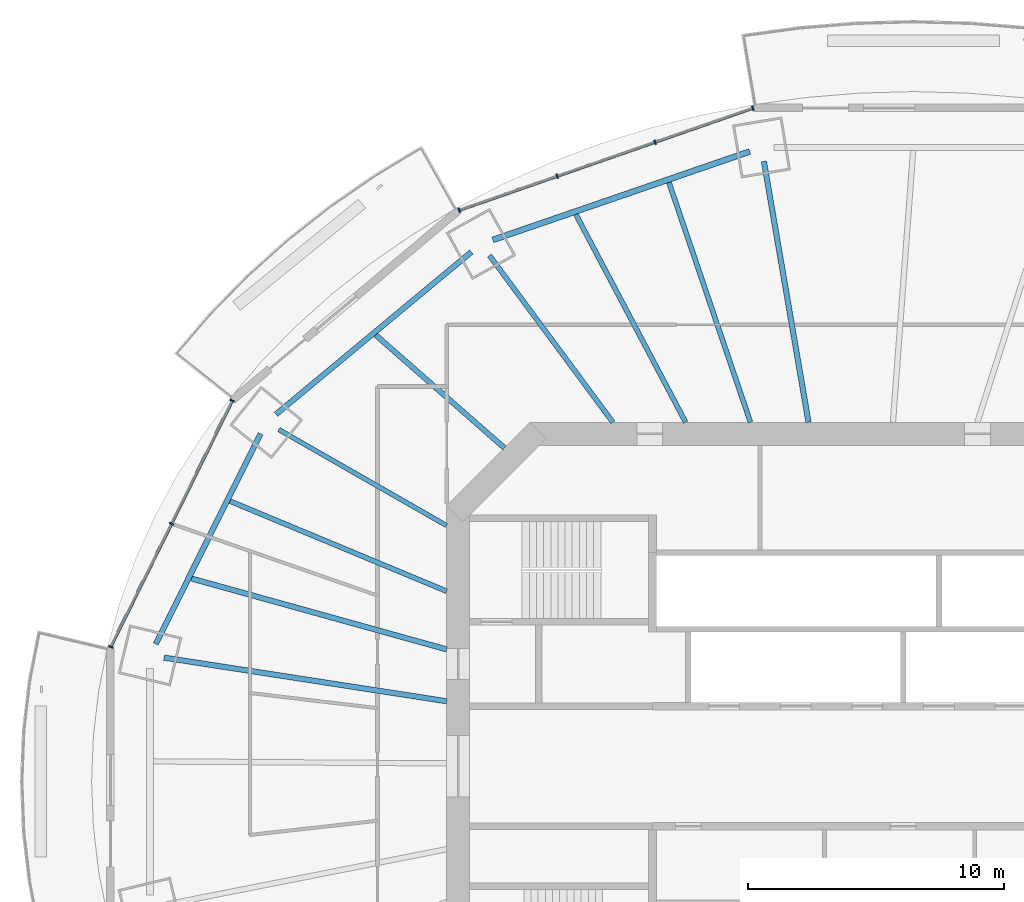
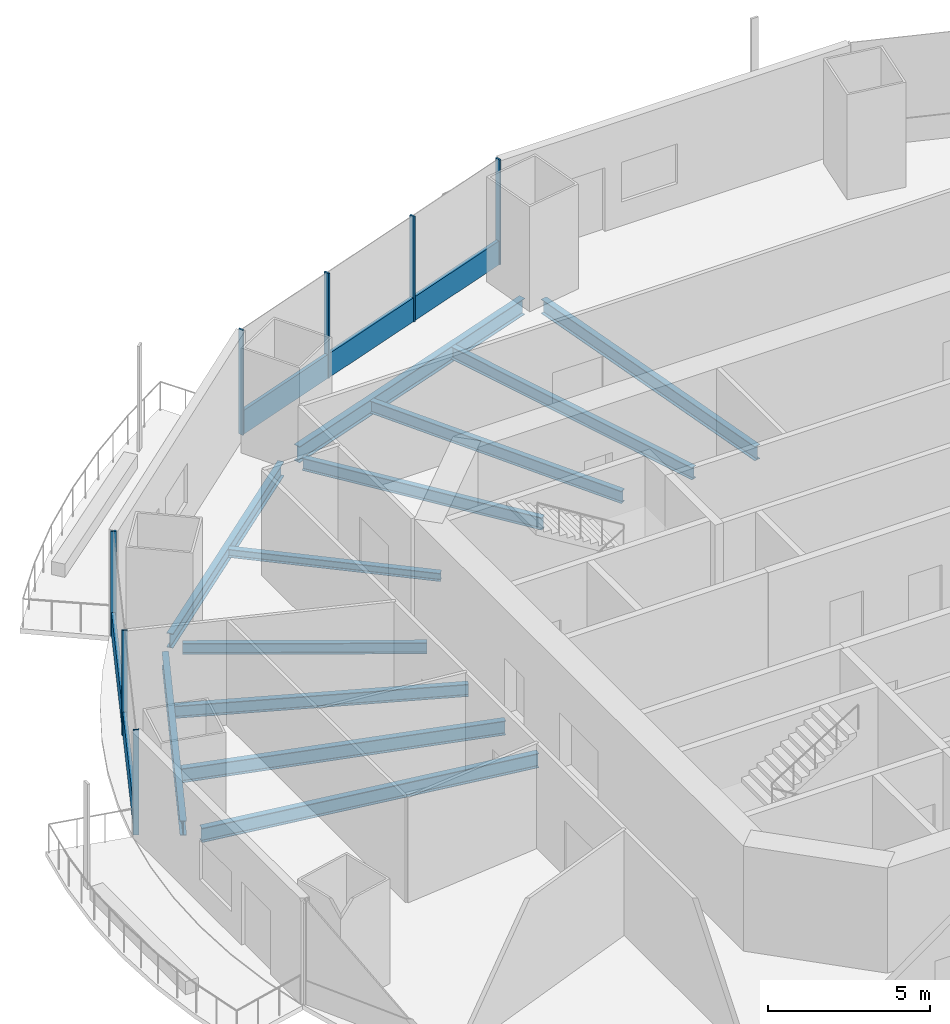
# One storey, part 6 of 20: 12 beams, 9 members, 2 elements without a shape of their own.
"""IFC4 building model written with IfcOpenShell, lengths in metres."""

import ifcopenshell
import ifcopenshell.guid

model = None  # the IFC model being written
_history = None  # IfcOwnerHistory: only IFC2X3 demands one
_inside = {}  # id of a spatial element -> (the spatial element, [elements in it])
_under = {}  # id of a project, library or spatial element -> (it, [spatial elements below it])
_declared = {}  # id of a project -> (the project, [libraries it declares])
_typed = {}  # id of a type object -> (the type object, [elements of that type])
_made_of = {}  # id of a material, layer set ... -> (it, [elements and type objects made of it])


def new_model(schema):
    """Start an empty IFC model of exactly this schema.

    Asked for "IFC4X3", IfcOpenShell would pick the latest addendum, in which some entities
    have other attributes; the version numbers below select the first issue.
    IFC2X3 requires an IfcOwnerHistory on every rooted entity: one is made here for all.
    """
    global model, _history
    if schema == "IFC4X3":
        model = ifcopenshell.file(schema_version=(4, 3, 0, 0))
    else:
        model = ifcopenshell.file(schema=schema)
    _inside.clear()
    _under.clear()
    _declared.clear()
    _typed.clear()
    _made_of.clear()
    _history = None
    if model.schema == "IFC2X3":
        org = make("IfcOrganization", Name="unknown")
        user = make(
            "IfcPersonAndOrganization",
            ThePerson=make("IfcPerson", FamilyName="unknown"),
            TheOrganization=org,
        )
        app = make(
            "IfcApplication",
            ApplicationDeveloper=org,
            Version="unknown",
            ApplicationFullName="unknown",
            ApplicationIdentifier="unknown",
        )
        _history = make(
            "IfcOwnerHistory",
            OwningUser=user,
            OwningApplication=app,
            ChangeAction="ADDED",
            CreationDate=0,
        )
    return model


def make(cls, **values):
    """One entity of the class cls with the attributes given. An attribute that is None is left unset."""
    return model.create_entity(
        cls, **{name: value for name, value in values.items() if value is not None}
    )


def rooted(cls, **values):
    """An entity with a GlobalId (a new one), such as an element, a storey or a relation."""
    return make(cls, GlobalId=ifcopenshell.guid.new(), OwnerHistory=_history, **values)


def si_unit(unit_type, name, prefix=None):
    """IfcSIUnit, for example si_unit("LENGTHUNIT", "METRE", prefix="MILLI")."""
    return make("IfcSIUnit", UnitType=unit_type, Prefix=prefix, Name=name)


def assignment(units):
    """IfcUnitAssignment: the units of a project."""
    return None if units is None else make("IfcUnitAssignment", Units=units)


def point(xyz):
    """IfcCartesianPoint."""
    return None if xyz is None else make("IfcCartesianPoint", Coordinates=xyz)


def direction(xyz):
    """IfcDirection."""
    return None if xyz is None else make("IfcDirection", DirectionRatios=xyz)


def frame(location, z_axis=None, x_axis=None):
    """IfcAxis2Placement3D, a coordinate frame: its origin and axes. An axis left out is left unset."""
    return make(
        "IfcAxis2Placement3D",
        Location=point(location),
        Axis=direction(z_axis),
        RefDirection=direction(x_axis),
    )


def frame_2d(location, x_axis=None):
    """IfcAxis2Placement2D, a coordinate frame in the plane: its origin and x axis."""
    return make(
        "IfcAxis2Placement2D", Location=point(location), RefDirection=direction(x_axis)
    )


def origin():
    """The frame at (0, 0, 0) with its axes left unset."""
    return frame((0.0, 0.0, 0.0))


def origin_2d():
    """The frame at (0, 0) in the plane with its x axis left unset."""
    return frame_2d((0.0, 0.0))


def place(relative_to, where):
    """IfcLocalPlacement: puts the frame where relative to a parent placement (None: the world)."""
    return make(
        "IfcLocalPlacement", PlacementRelTo=relative_to, RelativePlacement=where
    )


def context(
    kind, dimensions, precision=None, world=None, true_north=None, identifier=None
):
    """IfcGeometricRepresentationContext, for example the 3D "Model" context."""
    return make(
        "IfcGeometricRepresentationContext",
        ContextIdentifier=identifier,
        ContextType=kind,
        CoordinateSpaceDimension=dimensions,
        Precision=precision,
        WorldCoordinateSystem=world,
        TrueNorth=true_north,
    )


def subcontext(parent, identifier, kind, view, scale=None):
    """IfcGeometricRepresentationSubContext, for example "Body" below "Model"."""
    return make(
        "IfcGeometricRepresentationSubContext",
        ContextIdentifier=identifier,
        ContextType=kind,
        ParentContext=parent,
        TargetScale=scale,
        TargetView=view,
    )


def project(units=None, contexts=None):
    """IfcProject with its units and contexts."""
    return rooted(
        "IfcProject",
        Name="project",
        RepresentationContexts=contexts,
        UnitsInContext=assignment(units),
    )


def spatial(cls, under=None, at=None, **own):
    """A site, building, storey or space (cls), placed at a placement, below another one or the project."""
    s = rooted(cls, ObjectPlacement=at, **own)
    if under is not None:
        _under.setdefault(under.id(), (under, []))[1].append(s)
    return s


def profile(cls, at=None, kind="AREA", **sizes):
    """A parametric profile (cls). Its sizes go by their IFC names, for example OverallWidth=200.0."""
    return make(cls, ProfileType=kind, Position=at, **sizes)


def rectangle(**sizes):
    """IfcRectangleProfileDef."""
    return profile("IfcRectangleProfileDef", **sizes)


def i_section(**sizes):
    """IfcIShapeProfileDef."""
    return profile("IfcIShapeProfileDef", **sizes)


def extrude(swept, where, along, depth):
    """IfcExtrudedAreaSolid: the profile swept, set in the frame where, extruded along a direction by depth."""
    return make(
        "IfcExtrudedAreaSolid",
        SweptArea=swept,
        Position=where,
        ExtrudedDirection=direction(along),
        Depth=depth,
    )


def shape(context_of_items, identifier, shape_type, items):
    """IfcShapeRepresentation: the items that make up one representation, for example the "Body"."""
    return make(
        "IfcShapeRepresentation",
        ContextOfItems=context_of_items,
        RepresentationIdentifier=identifier,
        RepresentationType=shape_type,
        Items=items,
    )


def material(Name=None, Category=None):
    """IfcMaterial."""
    return make("IfcMaterial", Name=Name, Category=Category)


def material_profile(
    of_material, cross_section, Name=None, Category=None, Priority=None
):
    """IfcMaterialProfile: a cross section and its material."""
    return make(
        "IfcMaterialProfile",
        Name=Name,
        Material=of_material,
        Profile=cross_section,
        Priority=Priority,
        Category=Category,
    )


def profile_set(profiles, Name=None, composite=None):
    """IfcMaterialProfileSet."""
    return make(
        "IfcMaterialProfileSet",
        Name=Name,
        MaterialProfiles=profiles,
        CompositeProfile=composite,
    )


def made_of(thing, what):
    """Note that an element or type object is made of a material, layer set ...; save() writes the relation."""
    if what is not None:
        _made_of.setdefault(what.id(), (what, []))[1].append(thing)
    return thing


def type_object(cls, material=None, **own):
    """A type object (cls), such as IfcWallType, which elements share."""
    return made_of(rooted(cls, **own), material)


def element(
    cls,
    number,
    at=None,
    inside=None,
    cuts=None,
    type_object=None,
    material=None,
    context=None,
    identifier="Body",
    shape_type=None,
    held_by="IfcProductDefinitionShape",
    body=None,
    shapes=None,
    **own,
):
    """One element of the class cls, such as IfcWall. Its Tag is "e" and its number.

    at: its placement. inside: the storey or other place that contains it. cuts: it is an
    opening in that element (IfcRelVoidsElement). A single representation is given by context,
    identifier, shape_type and body (its items); several are given by shapes. held_by: the class
    of the entity that holds the representations. save() writes the other relations.
    """
    e = rooted(cls, Tag="e%d" % number, ObjectPlacement=at, **own)
    if body is not None:
        shapes = [shape(context, identifier, shape_type, body)]
    if shapes is not None:
        e.Representation = make(held_by, Representations=shapes)
    if inside is not None:
        _inside.setdefault(inside.id(), (inside, []))[1].append(e)
    if cuts is not None:
        rooted(
            "IfcRelVoidsElement", RelatingBuildingElement=cuts, RelatedOpeningElement=e
        )
    if type_object is not None:
        _typed.setdefault(type_object.id(), (type_object, []))[1].append(e)
    return made_of(e, material)


def aggregate(whole, parts):
    """IfcRelAggregates: a whole, such as a stair, and the parts it consists of."""
    return rooted("IfcRelAggregates", RelatingObject=whole, RelatedObjects=parts)


def save(model, path):
    """Write the relations noted so far, then the file.

    IfcRelAggregates (storeys below a building ...), IfcRelContainedInSpatialStructure (elements
    in a storey), IfcRelDefinesByType, IfcRelAssociatesMaterial and IfcRelDeclares: one each for
    every whole, place, type object, material and project.
    """
    for whole, parts in _under.values():
        aggregate(whole, parts)
    for where, things in _inside.values():
        rooted(
            "IfcRelContainedInSpatialStructure",
            RelatedElements=things,
            RelatingStructure=where,
        )
    for kind, things in _typed.values():
        rooted("IfcRelDefinesByType", RelatedObjects=things, RelatingType=kind)
    for what, things in _made_of.values():
        rooted("IfcRelAssociatesMaterial", RelatedObjects=things, RelatingMaterial=what)
    for by, libraries in _declared.values():
        rooted("IfcRelDeclares", RelatingContext=by, RelatedDefinitions=libraries)
    model.write(path)


model = new_model("IFC4")

# Units and contexts
model_context = context("Model", 3, precision=1e-05, world=origin(), true_north=direction((0.0, 1.0)))
body_context = subcontext(model_context, "Body", "Model", "MODEL_VIEW")
ifc_project = project(units=[si_unit("LENGTHUNIT", "METRE"), si_unit("AREAUNIT", "SQUARE_METRE"), si_unit("VOLUMEUNIT", "CUBIC_METRE"), si_unit("PLANEANGLEUNIT", "RADIAN"), si_unit("MASSUNIT", "GRAM", prefix="KILO")], contexts=[model_context])

# Site, building, storey
site_placement = place(None, origin())
site = spatial("IfcSite", under=ifc_project, at=site_placement, CompositionType="ELEMENT")
building_placement = place(site_placement, origin())
building = spatial("IfcBuilding", under=site, at=building_placement, Name="Marenthal Gate Tower", CompositionType="ELEMENT")
storey_placement = place(building_placement, frame((0.0, 0.0, 194.25)))
storey = spatial("IfcBuildingStorey", under=building, at=storey_placement, Name="L42", CompositionType="ELEMENT", Elevation=194.25)

# Curtain wall, members
ifc_material_1 = material(Name="Aluminium and glass", Category="aluminium")
curtain_wall_type = type_object("IfcCurtainWallType", Name="Curtain wall typical mid", PredefinedType="NOTDEFINED", material=ifc_material_1)
curtain_wall_1_placement = place(storey_placement, origin())
curtain_wall_1 = element("IfcCurtainWall", 1, at=curtain_wall_1_placement, inside=storey, type_object=curtain_wall_type, Name="Curtain wall L42 bay 5", PredefinedType="NOTDEFINED")
ifc_material_2 = material(Name="Aluminium", Category="aluminium")
ifc_material_profile_1 = material_profile(ifc_material_2, rectangle(XDim=0.179931640625, YDim=0.06005859375, at=origin_2d()), Name="60x180 aluminium mullion")
ifc_profile_set_1 = profile_set([ifc_material_profile_1], Name="Aluminium")
member_type_1 = type_object("IfcMemberType", Name="Mullion 60x180 typical mid", PredefinedType="MULLION", material=ifc_profile_set_1)
member_1_placement = place(storey_placement, frame((-4.47412109375, 25.735107421875, 0.0), z_axis=(0.0, 0.0, 1.0), x_axis=(0.328273001535, -0.944582890203, 0.0)))
member_1 = element("IfcMember", 2, at=member_1_placement, type_object=member_type_1, Name="Mullion L42 bay 5.1", PredefinedType="MULLION", context=body_context, shape_type="SweptSolid", body=[
    extrude(rectangle(XDim=0.179931640625, YDim=0.06005859375, at=origin_2d()), origin(), (0.0, 0.0, 1.0), 3.969970703125),
])
member_2_placement = place(storey_placement, frame((-8.30224609375, 24.40478515625, 0.0), z_axis=(0.0, 0.0, 1.0), x_axis=(0.328273001535, -0.944582890203, 0.0)))
member_2 = element("IfcMember", 3, at=member_2_placement, type_object=member_type_1, Name="Mullion L42 bay 5.2", PredefinedType="MULLION", context=body_context, shape_type="SweptSolid", body=[
    extrude(rectangle(XDim=0.179931640625, YDim=0.06005859375, at=origin_2d()), origin(), (0.0, 0.0, 1.0), 3.969970703125),
])
member_3_placement = place(storey_placement, frame((-12.13037109375, 23.07421875, 0.0), z_axis=(0.0, 0.0, 1.0), x_axis=(0.328273001535, -0.944582890203, 0.0)))
member_3 = element("IfcMember", 4, at=member_3_placement, type_object=member_type_1, Name="Mullion L42 bay 5.3", PredefinedType="MULLION", context=body_context, shape_type="SweptSolid", body=[
    extrude(rectangle(XDim=0.179931640625, YDim=0.06005859375, at=origin_2d()), origin(), (0.0, 0.0, 1.0), 3.969970703125),
])
member_4_placement = place(storey_placement, frame((-15.958251953125, 21.743896484375, 0.0), z_axis=(0.0, 0.0, 1.0), x_axis=(0.328273001535, -0.944582890203, 0.0)))
member_4 = element("IfcMember", 5, at=member_4_placement, type_object=member_type_1, Name="Mullion L42 bay 5.4", PredefinedType="MULLION", context=body_context, shape_type="SweptSolid", body=[
    extrude(rectangle(XDim=0.179931640625, YDim=0.06005859375, at=origin_2d()), origin(), (0.0, 0.0, 1.0), 3.969970703125),
])

curtain_wall_2_placement = place(storey_placement, origin())
curtain_wall_2 = element("IfcCurtainWall", 6, at=curtain_wall_2_placement, inside=storey, type_object=curtain_wall_type, Name="Curtain wall L42 bay 7", PredefinedType="NOTDEFINED")
member_5_placement = place(storey_placement, frame((-24.832763671875, 14.29638671875, 0.0), z_axis=(0.0, 0.0, 1.0), x_axis=(0.896680826174, -0.442677643406, 0.0)))
member_5 = element("IfcMember", 7, at=member_5_placement, type_object=member_type_1, Name="Mullion L42 bay 7.1", PredefinedType="MULLION", context=body_context, shape_type="SweptSolid", body=[
    extrude(rectangle(XDim=0.179931640625, YDim=0.06005859375, at=origin_2d()), origin(), (0.0, 0.0, 1.0), 3.969970703125),
])
member_6_placement = place(storey_placement, frame((-27.209716796875, 9.481689453125, 0.0), z_axis=(0.0, 0.0, 1.0), x_axis=(0.896680826174, -0.442677643406, 0.0)))
member_6 = element("IfcMember", 8, at=member_6_placement, type_object=member_type_1, Name="Mullion L42 bay 7.2", PredefinedType="MULLION", context=body_context, shape_type="SweptSolid", body=[
    extrude(rectangle(XDim=0.179931640625, YDim=0.06005859375, at=origin_2d()), origin(), (0.0, 0.0, 1.0), 3.969970703125),
])
member_7_placement = place(storey_placement, frame((-29.58642578125, 4.667236328125, 0.0), z_axis=(0.0, 0.0, 1.0), x_axis=(0.896680826174, -0.442677643406, 0.0)))
member_7 = element("IfcMember", 9, at=member_7_placement, type_object=member_type_1, Name="Mullion L42 bay 7.3", PredefinedType="MULLION", context=body_context, shape_type="SweptSolid", body=[
    extrude(rectangle(XDim=0.179931640625, YDim=0.06005859375, at=origin_2d()), origin(), (0.0, 0.0, 1.0), 3.969970703125),
])

# Member
ifc_material_3 = material(Name="Aluminium", Category="aluminium")
ifc_material_profile_2 = material_profile(ifc_material_3, rectangle(XDim=0.1201171875, YDim=0.89990234375, at=origin_2d()), Name="120x900 aluminium transom")
ifc_profile_set_2 = profile_set([ifc_material_profile_2], Name="Aluminium")
member_type_2 = type_object("IfcMemberType", Name="Transom 120x900 typical mid", PredefinedType="USERDEFINED", material=ifc_profile_set_2)
member_8_placement = place(storey_placement, frame((-4.50244140625, 25.72509765625, 0.449951171875), z_axis=(-0.944588780023, -0.328256053493, 0.0), x_axis=(0.328256053493, -0.944588780023, 0.0)))
member_8 = element("IfcMember", 10, at=member_8_placement, type_object=member_type_2, Name="Transom L42 bay 5", ObjectType="TRANSOM", PredefinedType="USERDEFINED", context=body_context, shape_type="SweptSolid", body=[
    extrude(rectangle(XDim=0.1201171875, YDim=0.89990234375, at=origin_2d()), origin(), (0.0, 0.0, 1.0), 12.097900390625),
])

aggregate(curtain_wall_1, [member_1, member_2, member_3, member_4, member_8])

member_9_placement = place(storey_placement, frame((-24.845947265625, 14.269287109375, 0.449951171875), z_axis=(-0.442690223778, -0.896674615327, 0.0), x_axis=(0.896674615327, -0.442690223778, 0.0)))
member_9 = element("IfcMember", 11, at=member_9_placement, type_object=member_type_2, Name="Transom L42 bay 7", ObjectType="TRANSOM", PredefinedType="USERDEFINED", context=body_context, shape_type="SweptSolid", body=[
    extrude(rectangle(XDim=0.1201171875, YDim=0.89990234375, at=origin_2d()), origin(), (0.0, 0.0, 1.0), 10.678466796875),
])

aggregate(curtain_wall_2, [member_5, member_6, member_7, member_9])

# Beams
ifc_material_4 = material(Name="Steel S355", Category="steel")
ifc_material_profile_3 = material_profile(ifc_material_4, i_section(OverallWidth=0.205078125, OverallDepth=0.31005859375, WebThickness=0.009521484375, FlangeThickness=0.016357421875, FilletRadius=0.0126953125, at=origin_2d()), Name="W310X74")
ifc_profile_set_3 = profile_set([ifc_material_profile_3], Name="Steel S355")
beam_type_1 = type_object("IfcBeamType", Name="W310X74 beam", PredefinedType="BEAM", material=ifc_profile_set_3)
beam_1_placement = place(storey_placement, frame((-19.2265625, 16.862060546875, -0.3349609375), z_axis=(0.751813002005, -0.659376379631, 0.0), x_axis=(0.659376379631, 0.751813002005, 0.0)))
element("IfcBeam", 12, at=beam_1_placement, inside=storey, type_object=beam_type_1, Name="BM-L42-25", PredefinedType="BEAM", context=body_context, shape_type="SweptSolid", body=[
    extrude(i_section(OverallWidth=0.205078125, OverallDepth=0.31005859375, WebThickness=0.009521484375, FlangeThickness=0.016357421875, FilletRadius=0.0126953125, at=origin_2d()), origin(), (0.0, 0.0, 1.0), 6.697998046875),
])
ifc_material_5 = material(Name="Steel S355", Category="steel")
ifc_material_profile_4 = material_profile(ifc_material_5, i_section(OverallWidth=0.180908203125, OverallDepth=0.4169921875, WebThickness=0.010986328125, FlangeThickness=0.018310546875, FilletRadius=0.01025390625, at=origin_2d()), Name="W410X85")
ifc_profile_set_4 = profile_set([ifc_material_profile_4], Name="Steel S355")
beam_type_2 = type_object("IfcBeamType", Name="W410X85 beam", PredefinedType="BEAM", material=ifc_profile_set_4)
beam_2_placement = place(storey_placement, frame((-23.016845703125, 13.165771484375, -0.388427734375), z_axis=(0.868024608307, -0.496521177166, 0.0), x_axis=(0.496521177166, 0.868024608307, 0.0)))
element("IfcBeam", 13, at=beam_2_placement, inside=storey, type_object=beam_type_2, Name="BM-L42-07", PredefinedType="BEAM", context=body_context, shape_type="SweptSolid", body=[
    extrude(i_section(OverallWidth=0.180908203125, OverallDepth=0.4169921875, WebThickness=0.010986328125, FlangeThickness=0.018310546875, FilletRadius=0.01025390625, at=origin_2d()), origin(), (0.0, 0.0, 1.0), 7.5654296875),
])
ifc_material_6 = material(Name="Steel S355", Category="steel")
ifc_material_profile_5 = material_profile(ifc_material_6, i_section(OverallWidth=0.193115234375, OverallDepth=0.467041015625, WebThickness=0.011474609375, FlangeThickness=0.01904296875, FilletRadius=0.010009765625, at=origin_2d()), Name="W460X97")
ifc_profile_set_5 = profile_set([ifc_material_profile_5], Name="Steel S355")
beam_type_3 = type_object("IfcBeamType", Name="W460X97 beam", PredefinedType="BEAM", material=ifc_profile_set_5)
beam_3_placement = place(storey_placement, frame((-14.7763671875, 19.970947265625, -0.41357421875), z_axis=(0.59479633117, -0.803876436044, 0.0), x_axis=(0.803876436044, 0.59479633117, 0.0)))
element("IfcBeam", 14, at=beam_3_placement, inside=storey, type_object=beam_type_3, Name="BM-L42-06", PredefinedType="BEAM", context=body_context, shape_type="SweptSolid", body=[
    extrude(i_section(OverallWidth=0.193115234375, OverallDepth=0.467041015625, WebThickness=0.011474609375, FlangeThickness=0.01904296875, FilletRadius=0.010009765625, at=origin_2d()), origin(), (0.0, 0.0, 1.0), 8.11181640625),
])
beam_4_placement = place(storey_placement, frame((-7.7578125, 22.82861328125, -0.41357421875), z_axis=(0.321745866292, -0.946826065085, 0.0), x_axis=(0.946826065085, 0.321745866292, 0.0)))
element("IfcBeam", 15, at=beam_4_placement, inside=storey, type_object=beam_type_3, Name="BM-L42-23", PredefinedType="BEAM", context=body_context, shape_type="SweptSolid", body=[
    extrude(i_section(OverallWidth=0.193115234375, OverallDepth=0.467041015625, WebThickness=0.011474609375, FlangeThickness=0.01904296875, FilletRadius=0.010009765625, at=origin_2d()), origin(), (0.0, 0.0, 1.0), 9.9052734375),
])
beam_5_placement = place(storey_placement, frame((-11.397705078125, 21.576171875, -0.41357421875), z_axis=(0.467089292525, -0.884210151948, 0.0), x_axis=(0.884210151948, 0.467089292525, 0.0)))
element("IfcBeam", 16, at=beam_5_placement, inside=storey, type_object=beam_type_3, Name="BM-L42-24", PredefinedType="BEAM", context=body_context, shape_type="SweptSolid", body=[
    extrude(i_section(OverallWidth=0.193115234375, OverallDepth=0.467041015625, WebThickness=0.011474609375, FlangeThickness=0.01904296875, FilletRadius=0.010009765625, at=origin_2d()), origin(), (0.0, 0.0, 1.0), 9.1904296875),
])
beam_6_placement = place(storey_placement, frame((-24.922607421875, 10.36669921875, -0.41357421875), z_axis=(0.923312891466, -0.384048570433, 0.0), x_axis=(0.384048570433, 0.923312891466, 0.0)))
element("IfcBeam", 17, at=beam_6_placement, inside=storey, type_object=beam_type_3, Name="BM-L42-26", PredefinedType="BEAM", context=body_context, shape_type="SweptSolid", body=[
    extrude(i_section(OverallWidth=0.193115234375, OverallDepth=0.467041015625, WebThickness=0.011474609375, FlangeThickness=0.01904296875, FilletRadius=0.010009765625, at=origin_2d()), origin(), (0.0, 0.0, 1.0), 9.17626953125),
])
ifc_material_7 = material(Name="Steel S355", Category="steel")
ifc_material_profile_6 = material_profile(ifc_material_7, i_section(OverallWidth=0.2099609375, OverallDepth=0.535888671875, WebThickness=0.010986328125, FlangeThickness=0.017333984375, FilletRadius=0.0126953125, at=origin_2d()), Name="W530X101")
ifc_profile_set_6 = profile_set([ifc_material_profile_6], Name="Steel S355")
beam_type_4 = type_object("IfcBeamType", Name="W530X101 beam", PredefinedType="BEAM", material=ifc_profile_set_6)
beam_7_placement = place(storey_placement, frame((-26.431396484375, 7.341064453125, -0.447998046875), z_axis=(0.963528038179, -0.267607398335, 0.0), x_axis=(0.267607398335, 0.963528038179, 0.0)))
element("IfcBeam", 18, at=beam_7_placement, inside=storey, type_object=beam_type_4, Name="BM-L42-27", PredefinedType="BEAM", context=body_context, shape_type="SweptSolid", body=[
    extrude(i_section(OverallWidth=0.2099609375, OverallDepth=0.535888671875, WebThickness=0.010986328125, FlangeThickness=0.017333984375, FilletRadius=0.0126953125, at=origin_2d()), origin(), (0.0, 0.0, 1.0), 10.359375),
])
ifc_material_8 = material(Name="Steel S355", Category="steel")
ifc_material_profile_7 = material_profile(ifc_material_8, i_section(OverallWidth=0.2119140625, OverallDepth=0.5439453125, WebThickness=0.01318359375, FlangeThickness=0.021240234375, FilletRadius=0.0126953125, at=origin_2d()), Name="W530X123")
ifc_profile_set_7 = profile_set([ifc_material_profile_7], Name="Steel S355")
beam_type_5 = type_object("IfcBeamType", Name="W530X123 beam", PredefinedType="BEAM", material=ifc_profile_set_7)
beam_8_placement = place(storey_placement, frame((-4.044921875, 23.653076171875, -0.451904296875), z_axis=(0.168566436963, -0.985690294327, 0.0), x_axis=(0.985690294327, 0.168566436963, 0.0)))
element("IfcBeam", 19, at=beam_8_placement, inside=storey, type_object=beam_type_5, Name="BM-L42-05", PredefinedType="BEAM", context=body_context, shape_type="SweptSolid", body=[
    extrude(i_section(OverallWidth=0.2119140625, OverallDepth=0.5439453125, WebThickness=0.01318359375, FlangeThickness=0.021240234375, FilletRadius=0.0126953125, at=origin_2d()), origin(), (0.0, 0.0, 1.0), 10.351318359375),
])
beam_9_placement = place(storey_placement, frame((-27.503173828125, 4.24755859375, -0.451904296875), z_axis=(0.988283712308, -0.152627992147, 0.0), x_axis=(0.152627992147, 0.988283712308, 0.0)))
element("IfcBeam", 20, at=beam_9_placement, inside=storey, type_object=beam_type_5, Name="BM-L42-08", PredefinedType="BEAM", context=body_context, shape_type="SweptSolid", body=[
    extrude(i_section(OverallWidth=0.2119140625, OverallDepth=0.5439453125, WebThickness=0.01318359375, FlangeThickness=0.021240234375, FilletRadius=0.0126953125, at=origin_2d()), origin(), (0.0, 0.0, 1.0), 11.184326171875),
])
beam_10_placement = place(storey_placement, frame((-15.4873046875, 20.10595703125, -0.451904296875), z_axis=(-0.769236112246, -0.638964634089, 0.0), x_axis=(0.638964634089, -0.769236112246, 0.0)))
element("IfcBeam", 21, at=beam_10_placement, inside=storey, type_object=beam_type_5, Name="BM-L42-46", PredefinedType="BEAM", context=body_context, shape_type="SweptSolid", body=[
    extrude(i_section(OverallWidth=0.2119140625, OverallDepth=0.5439453125, WebThickness=0.01318359375, FlangeThickness=0.021240234375, FilletRadius=0.0126953125, at=origin_2d()), origin(), (0.0, 0.0, 1.0), 9.928955078125),
])
beam_11_placement = place(storey_placement, frame((-23.72802734375, 12.999755859375, -0.451904296875), z_axis=(-0.446245776871, -0.894910446148, 0.0), x_axis=(0.894910446148, -0.446245776871, 0.0)))
element("IfcBeam", 22, at=beam_11_placement, inside=storey, type_object=beam_type_5, Name="BM-L42-47", PredefinedType="BEAM", context=body_context, shape_type="SweptSolid", body=[
    extrude(i_section(OverallWidth=0.2119140625, OverallDepth=0.5439453125, WebThickness=0.01318359375, FlangeThickness=0.021240234375, FilletRadius=0.0126953125, at=origin_2d()), origin(), (0.0, 0.0, 1.0), 9.184814453125),
])
ifc_material_9 = material(Name="Steel S355", Category="steel")
ifc_material_profile_8 = material_profile(ifc_material_9, i_section(OverallWidth=0.22900390625, OverallDepth=0.612060546875, WebThickness=0.011962890625, FlangeThickness=0.01953125, FilletRadius=0.0126953125, at=origin_2d()), Name="W610X125")
ifc_profile_set_8 = profile_set([ifc_material_profile_8], Name="Steel S355")
beam_type_6 = type_object("IfcBeamType", Name="W610X125 beam", PredefinedType="BEAM", material=ifc_profile_set_8)
beam_12_placement = place(storey_placement, frame((-4.599853515625, 24.0361328125, -0.486083984375), z_axis=(-0.945594274162, -0.325348226785, 0.0), x_axis=(0.325348226785, -0.945594274162, 0.0)))
element("IfcBeam", 23, at=beam_12_placement, inside=storey, type_object=beam_type_6, Name="BM-L42-45", PredefinedType="BEAM", context=body_context, shape_type="SweptSolid", body=[
    extrude(i_section(OverallWidth=0.22900390625, OverallDepth=0.612060546875, WebThickness=0.011962890625, FlangeThickness=0.01953125, FilletRadius=0.0126953125, at=origin_2d()), origin(), (0.0, 0.0, 1.0), 10.623291015625),
])

save(model, "model.ifc")
